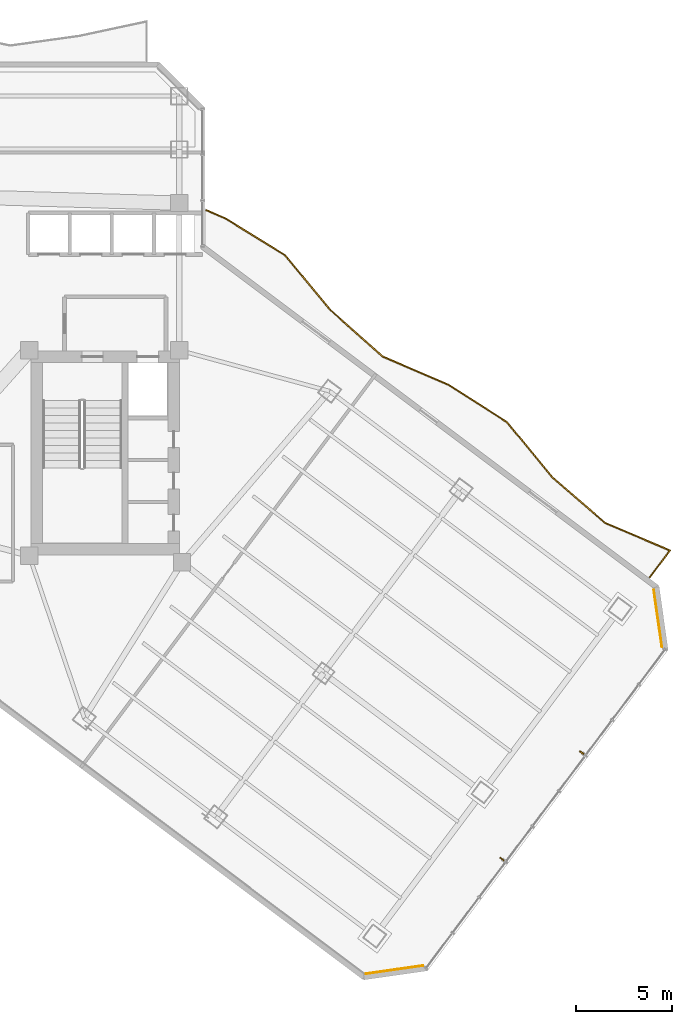
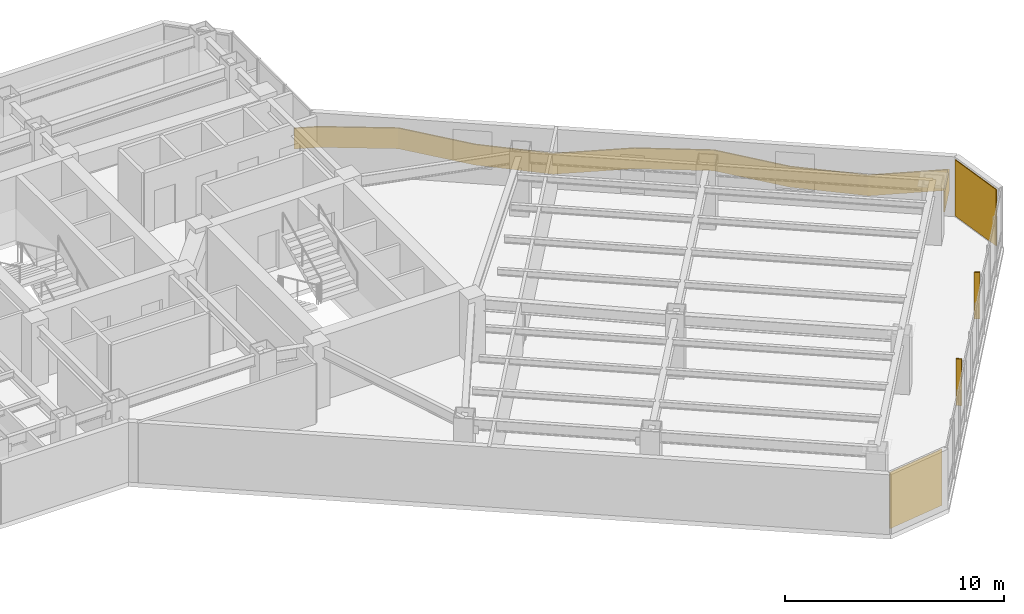
# One storey, part 27 of 29: 2 coverings, 2 shading devices, 1 railing.
"""IFC4 building model written with IfcOpenShell, lengths in metres."""

from ifc_helpers import new_model, si_unit, direction, frame, origin, origin_2d, place, context, subcontext, project, spatial, polyline, rectangle, outline, extrude, material, layer, layer_set, type_object, element, save


model = new_model("IFC4")

# Units and contexts
model_context = context("Model", 3, precision=1e-05, world=origin(), true_north=direction((0.0, 1.0)))
body_context = subcontext(model_context, "Body", "Model", "MODEL_VIEW")
ifc_project = project(units=[si_unit("LENGTHUNIT", "METRE"), si_unit("AREAUNIT", "SQUARE_METRE"), si_unit("VOLUMEUNIT", "CUBIC_METRE"), si_unit("PLANEANGLEUNIT", "RADIAN"), si_unit("MASSUNIT", "GRAM", prefix="KILO")], contexts=[model_context])

# Site, building, storey
site_placement = place(None, origin())
site = spatial("IfcSite", under=ifc_project, at=site_placement, CompositionType="ELEMENT")
building_placement = place(site_placement, origin())
building = spatial("IfcBuilding", under=site, at=building_placement, Name="Hatsunagi Terrace Concourse", CompositionType="ELEMENT")
storey_placement = place(building_placement, frame((0.0, 0.0, 126.449951171875)))
storey = spatial("IfcBuildingStorey", under=building, at=storey_placement, Name="L33", CompositionType="ELEMENT", Elevation=126.449951171875)

# Railing
ifc_material_1 = material(Name="Laminated Glass and Stainless Steel Guard", Category="steel")
ifc_layer_1 = layer(ifc_material_1, 0.070068359375)
ifc_layer_set_1 = layer_set([ifc_layer_1], Name="BalconyGlassGuardRail_1150")
railing_type = type_object("IfcRailingType", Name="BalconyGlassGuardRail_1150", PredefinedType="BALUSTRADE", material=ifc_layer_set_1)
railing_placement = place(storey_placement, origin())
element("IfcRailing", 1, at=railing_placement, inside=storey, type_object=railing_type, Name="Engawa Balcony Guard GRD-01 L33-BSE-1", PredefinedType="BALUSTRADE", context=body_context, shape_type="SweptSolid", body=[
    extrude(outline(polyline([(45.06005859375, 42.673095703125), (45.031982421875, 42.60888671875), (46.07470703125, 42.15478515625), (49.16162109375, 40.248291015625), (51.540771484375, 37.376708984375), (54.281005859375, 34.941162109375), (57.7216796875, 33.4619140625), (60.776611328125, 31.514404296875), (63.14794921875, 28.62939453125), (65.918212890625, 26.23486328125), (69.275146484375, 24.808349609375), (68.241943359375, 23.430908203125), (68.298095703125, 23.388916015625), (69.384765625, 24.837646484375), (65.955810546875, 26.295166015625), (63.197998046875, 28.678466796875), (60.823486328125, 31.5673828125), (57.75439453125, 33.52392578125), (54.319091796875, 35.0009765625), (51.59130859375, 37.42529296875), (49.208251953125, 40.3017578125), (46.107421875, 42.217041015625), (45.06005859375, 42.673095703125)])), origin(), (0.0, 0.0, 1.0), 1.150146484375),
])

# Shading devices
ifc_material_2 = material(Name="Extruded Unglazed Terracotta Baguette", Category="masonry")
shading_device_type = type_object("IfcShadingDeviceType", Name="TerracottaFinScreen_260x70", PredefinedType="USERDEFINED", material=ifc_material_2)
for number, where, z_axis, x_axis, name in (
    (2, (64.716064453125, 14.239013671875, 0.85009765625), (0.0, 0.0, 1.0), (-0.599969314634, -0.800023013105, 0.0), "Terracotta Baguette Fin Screen SCR-01"),
    (3, (60.5400390625, 8.6689453125, 0.85009765625), (0.0, 0.0, 1.0), (-0.599969314634, -0.800023013105, 0.0), "Terracotta Baguette Fin Screen SCR-01"),
):
    element("IfcShadingDevice", number, at=place(storey_placement, frame(where, z_axis=z_axis, x_axis=x_axis)), inside=storey, type_object=shading_device_type, Name=name, ObjectType="SUNSHADE", PredefinedType="USERDEFINED", context=body_context, shape_type="SweptSolid", body=[
        extrude(rectangle(XDim=0.070068359375, YDim=0.260009765625, at=origin_2d()), origin(), (0.0, 0.0, 1.0), 2.60009765625),
    ])

# Coverings
ifc_material_3 = material(Name="Unglazed Warm Terracotta Rainscreen Tile", Category="masonry")
ifc_layer_2 = layer(ifc_material_3, 0.044921875)
ifc_layer_set_2 = layer_set([ifc_layer_2], Name="TerracottaRainscreenCladding_45")
covering_type = type_object("IfcCoveringType", Name="TerracottaRainscreenCladding_45", PredefinedType="CLADDING", material=ifc_layer_set_2)
for number, where, z_axis, x_axis, name in (
    (4, (68.700927734375, 21.258056640625, 0.10009765625), (0.0, 0.0, 1.0), (0.141250262458, -0.989973920543, 0.0), "Terracotta Rainscreen Cladding L33-02"),
    (5, (54.91796875, 2.87890625, 0.10009765625), (0.0, 0.0, 1.0), (-0.989973920543, -0.141250262458, 0.0), "Terracotta Rainscreen Cladding L33-04"),
):
    element("IfcCovering", number, at=place(storey_placement, frame(where, z_axis=z_axis, x_axis=x_axis)), inside=storey, type_object=covering_type, Name=name, PredefinedType="CLADDING", context=body_context, shape_type="SweptSolid", body=[
        extrude(rectangle(XDim=3.0380859375, YDim=0.044921875, at=origin_2d()), origin(), (0.0, 0.0, 1.0), 3.139892578125),
    ])

save(model, "model.ifc")
